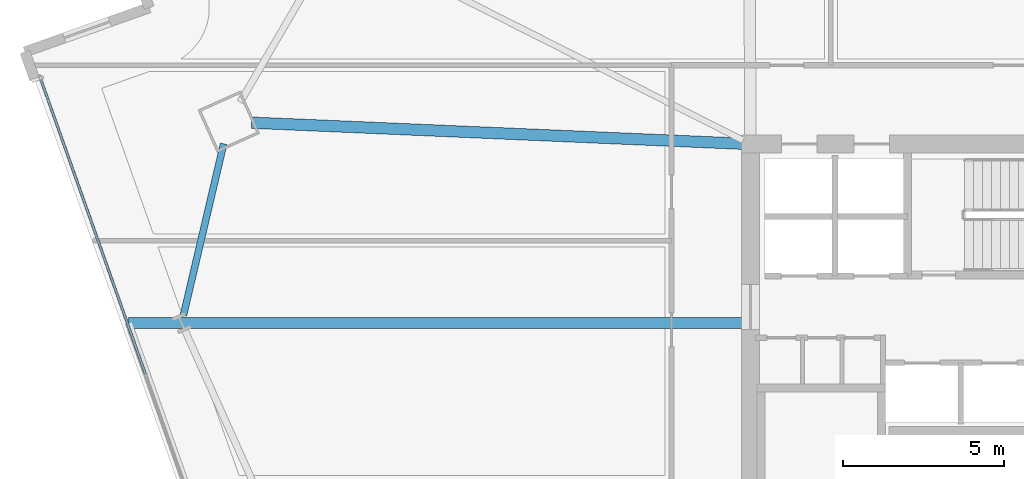
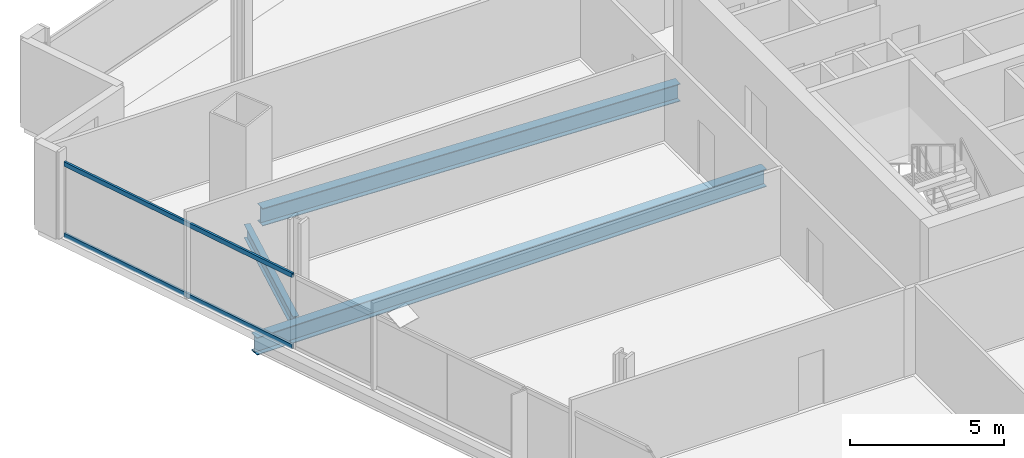
# One storey, part 15 of 33: 3 beams, 2 members, 1 element without a shape of its own.
"""IFC4 building model written with IfcOpenShell, lengths in metres."""

from ifc_helpers import new_model, si_unit, direction, frame, origin, origin_2d, place, context, subcontext, project, spatial, hollow_rectangle, i_section, extrude, material, material_profile, profile_set, type_object, element, aggregate, save


model = new_model("IFC4")

# Units and contexts
model_context = context("Model", 3, precision=1e-05, world=origin(), true_north=direction((0.0, 1.0)))
body_context = subcontext(model_context, "Body", "Model", "MODEL_VIEW")
ifc_project = project(units=[si_unit("LENGTHUNIT", "METRE"), si_unit("AREAUNIT", "SQUARE_METRE"), si_unit("VOLUMEUNIT", "CUBIC_METRE"), si_unit("PLANEANGLEUNIT", "RADIAN"), si_unit("MASSUNIT", "GRAM", prefix="KILO")], contexts=[model_context])

# Site, building, storey
site_placement = place(None, origin())
site = spatial("IfcSite", under=ifc_project, at=site_placement, CompositionType="ELEMENT")
building_placement = place(site_placement, origin())
building = spatial("IfcBuilding", under=site, at=building_placement, Name="Haldenkirk Collegiate Tower", CompositionType="ELEMENT")
storey_placement = place(building_placement, frame((0.0, 0.0, 94.199951171875)))
storey = spatial("IfcBuildingStorey", under=building, at=storey_placement, Name="L22", CompositionType="ELEMENT", Elevation=94.199951171875)

# Beams
ifc_material_1 = material(Name="Steel ASTM A992 Grade 50", Category="steel")
ifc_material_profile_1 = material_profile(ifc_material_1, i_section(OverallWidth=0.35498046875, OverallDepth=0.696044921875, WebThickness=0.015380859375, FlangeThickness=0.02490234375, at=origin_2d()), Name="W27X146")
ifc_profile_set_1 = profile_set([ifc_material_profile_1], Name="Steel ASTM A992 Grade 50")
beam_type_1 = type_object("IfcBeamType", Name="BM-GIRDER-W27X146", PredefinedType="BEAM", material=ifc_profile_set_1)
beam_1_placement = place(storey_placement, frame((11.489990234375, 34.6650390625, -0.64794921875), z_axis=(0.999082162822, -0.042834938212, 0.0), x_axis=(0.042834938212, 0.999082162822, 0.0)))
element("IfcBeam", 1, at=beam_1_placement, inside=storey, type_object=beam_type_1, Name="L22 primary floor girder 04", PredefinedType="BEAM", context=body_context, shape_type="SweptSolid", body=[
    extrude(i_section(OverallWidth=0.35498046875, OverallDepth=0.696044921875, WebThickness=0.015380859375, FlangeThickness=0.02490234375, at=origin_2d()), origin(), (0.0, 0.0, 1.0), 15.26904296875),
])
beam_2_placement = place(storey_placement, frame((7.67138671875, 28.436767578125, -0.64794921875), z_axis=(1.0, 0.0, 0.0), x_axis=(0.0, 1.0, 0.0)))
element("IfcBeam", 2, at=beam_2_placement, inside=storey, type_object=beam_type_1, Name="L22 primary floor girder 14", PredefinedType="BEAM", context=body_context, shape_type="SweptSolid", body=[
    extrude(i_section(OverallWidth=0.35498046875, OverallDepth=0.696044921875, WebThickness=0.015380859375, FlangeThickness=0.02490234375, at=origin_2d()), origin(), (0.0, 0.0, 1.0), 19.07373046875),
])
ifc_material_profile_2 = material_profile(ifc_material_1, i_section(OverallWidth=0.2119140625, OverallDepth=0.5439453125, WebThickness=0.01318359375, FlangeThickness=0.021240234375, at=origin_2d()), Name="W21X83")
ifc_profile_set_2 = profile_set([ifc_material_profile_2], Name="Steel ASTM A992 Grade 50")
beam_type_2 = type_object("IfcBeamType", Name="BM-SPANDREL-W21X83", PredefinedType="SPANDREL", material=ifc_profile_set_2)
beam_3_placement = place(storey_placement, frame((10.624755859375, 34.0087890625, -0.572021484375), z_axis=(-0.228373515871, -0.97357359108, 0.0), x_axis=(0.97357359108, -0.228373515871, 0.0)))
element("IfcBeam", 3, at=beam_3_placement, inside=storey, type_object=beam_type_2, Name="L22 perimeter spandrel beam 13", PredefinedType="SPANDREL", context=body_context, shape_type="SweptSolid", body=[
    extrude(i_section(OverallWidth=0.2119140625, OverallDepth=0.5439453125, WebThickness=0.01318359375, FlangeThickness=0.021240234375, at=origin_2d()), origin(), (0.0, 0.0, 1.0), 5.477783203125),
])

# Curtain wall, members
ifc_material_2 = material(Name="Anodised architectural bronze aluminium", Category="aluminium")
curtain_wall_type = type_object("IfcCurtainWallType", Name="CW-SYS1-CONVEX-LOW", PredefinedType="USERDEFINED", material=ifc_material_2)
curtain_wall_placement = place(storey_placement, origin())
curtain_wall = element("IfcCurtainWall", 4, at=curtain_wall_placement, inside=storey, type_object=curtain_wall_type, Name="L22 Lower tower convex bronze-framed unitised curtain wall", ObjectType="UNITISED CURTAIN WALL", PredefinedType="USERDEFINED")
ifc_material_profile_3 = material_profile(ifc_material_2, hollow_rectangle(XDim=0.080078125, YDim=0.179931640625, WallThickness=0.0048828125, at=origin_2d()), Name="CW-TRN-1A")
ifc_profile_set_3 = profile_set([ifc_material_profile_3], Name="Anodised architectural bronze aluminium")
member_type = type_object("IfcMemberType", Name="CW-TRN-1A", PredefinedType="USERDEFINED", material=ifc_profile_set_3)
member_1_placement = place(storey_placement, frame((8.197998046875, 26.834716796875, 0.0400390625), z_axis=(-0.334639875522, 0.942346090198, 0.0), x_axis=(-0.942346090198, -0.334639875522, 0.0)))
member_1 = element("IfcMember", 5, at=member_1_placement, type_object=member_type, Name="CW-1A transom 4.1", ObjectType="TRANSOM", PredefinedType="USERDEFINED", context=body_context, shape_type="SweptSolid", body=[
    extrude(hollow_rectangle(XDim=0.080078125, YDim=0.179931640625, WallThickness=0.0048828125, at=origin_2d()), origin(), (0.0, 0.0, 1.0), 9.730224609375),
])
member_2_placement = place(storey_placement, frame((8.197998046875, 26.834716796875, 2.861083984375), z_axis=(-0.334639875522, 0.942346090198, 0.0), x_axis=(-0.942346090198, -0.334639875522, 0.0)))
member_2 = element("IfcMember", 6, at=member_2_placement, type_object=member_type, Name="CW-1A transom 4.2", ObjectType="TRANSOM", PredefinedType="USERDEFINED", context=body_context, shape_type="SweptSolid", body=[
    extrude(hollow_rectangle(XDim=0.080078125, YDim=0.179931640625, WallThickness=0.0048828125, at=origin_2d()), origin(), (0.0, 0.0, 1.0), 9.730224609375),
])
aggregate(curtain_wall, [member_1, member_2])

save(model, "model.ifc")
